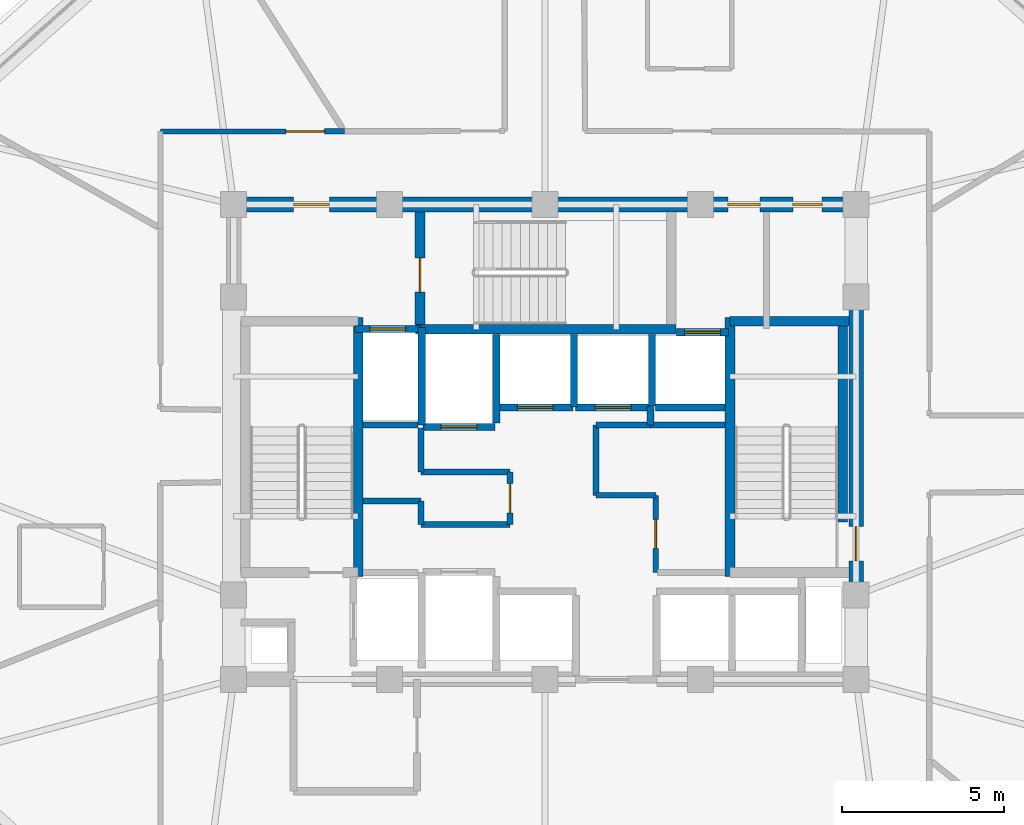
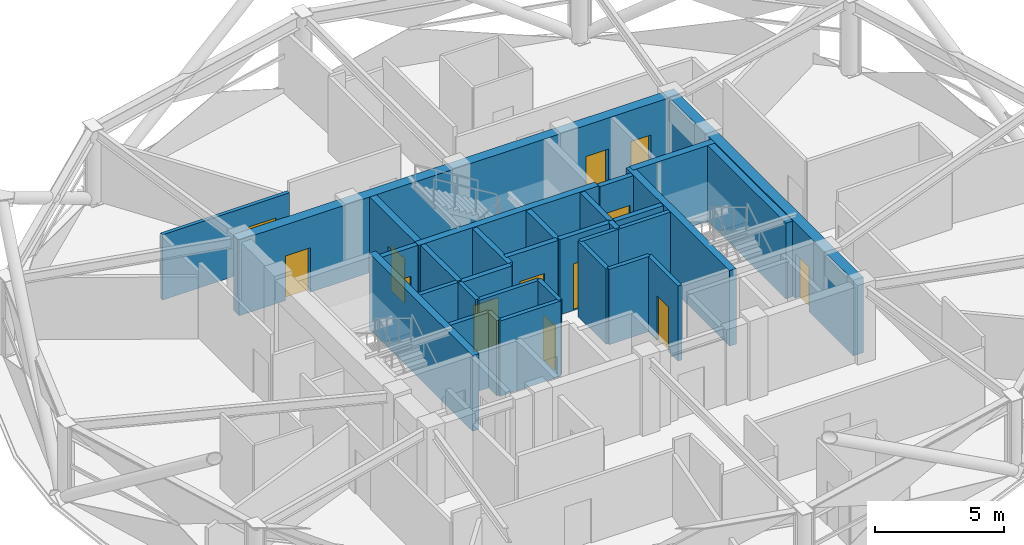
# One storey, part 23 of 28: 32 walls, 13 doors, 13 openings.
"""IFC4 building model written with IfcOpenShell, lengths in metres."""

from ifc_helpers import new_model, si_unit, direction, frame, frame_2d, origin, place, context, subcontext, project, spatial, rectangle, extrude, material, layer, layer_set, type_object, element, fill, save


model = new_model("IFC4")

# Units and contexts
model_context = context("Model", 3, precision=1e-05, world=origin(), true_north=direction((0.0, 1.0)))
body_context = subcontext(model_context, "Body", "Model", "MODEL_VIEW")
ifc_project = project(units=[si_unit("LENGTHUNIT", "METRE"), si_unit("AREAUNIT", "SQUARE_METRE"), si_unit("VOLUMEUNIT", "CUBIC_METRE"), si_unit("PLANEANGLEUNIT", "RADIAN"), si_unit("MASSUNIT", "GRAM", prefix="KILO")], contexts=[model_context])

# Site, building, storey
site_placement = place(None, origin())
site = spatial("IfcSite", under=ifc_project, at=site_placement, CompositionType="ELEMENT")
building_placement = place(site_placement, origin())
building = spatial("IfcBuilding", under=site, at=building_placement, Name="Vantalir Tower", CompositionType="ELEMENT")
storey_placement = place(building_placement, frame((0.0, 0.0, 242.39990234375)))
storey = spatial("IfcBuildingStorey", under=building, at=storey_placement, Name="L61", CompositionType="ELEMENT", Elevation=242.39990234375)

# Wall, openings, doors
ifc_material_1 = material(Name="Concrete C50/60", Category="concrete")
ifc_layer_1 = layer(ifc_material_1, 0.449951171875)
ifc_layer_set_1 = layer_set([ifc_layer_1], Name="Concrete C50/60")
wall_type_1 = type_object("IfcWallType", Name="WL-CORE-450", PredefinedType="SHEAR", material=ifc_layer_set_1)
wall_1_placement = place(storey_placement, frame((21.675048828125, 32.449951171875, 0.0), z_axis=(0.0, 0.0, 1.0), x_axis=(1.0, 0.0, 0.0)))
wall_1 = element("IfcWall", 1, at=wall_1_placement, inside=storey, type_object=wall_type_1, Name="L61 Core Shear Wall North", PredefinedType="SHEAR", context=body_context, shape_type="SweptSolid", body=[
    extrude(rectangle(XDim=19.64990234375, YDim=0.449951171875, at=frame_2d((9.824951171875, 0.0))), origin(), (0.0, 0.0, 1.0), 3.570068359375),
])
opening_1_placement = place(wall_1_placement, frame((2.074951171875, 0.0, 0.0)))
opening_1 = element("IfcOpeningElement", 2, at=opening_1_placement, cuts=wall_1, Name="Opening D-FFL", PredefinedType="OPENING", context=body_context, shape_type="SweptSolid", body=[
    extrude(rectangle(XDim=1.10009765625, YDim=2.10009765625, at=frame_2d((0.550048828125, 1.050048828125))), frame((0.0, 0.23486328125, 0.0), z_axis=(0.0, -1.0, 0.0), x_axis=(1.0, 0.0, 0.0)), (0.0, 0.0, 1.0), 0.469970703125),
])
opening_2_placement = place(wall_1_placement, frame((15.465087890625, 0.0, 0.0)))
opening_2 = element("IfcOpeningElement", 3, at=opening_2_placement, cuts=wall_1, Name="Opening D-GUEST", PredefinedType="OPENING", context=body_context, shape_type="SweptSolid", body=[
    extrude(rectangle(XDim=1.0, YDim=2.10009765625, at=frame_2d((0.5, 1.050048828125))), frame((0.0, 0.23486328125, 0.0), z_axis=(0.0, -1.0, 0.0), x_axis=(1.0, 0.0, 0.0)), (0.0, 0.0, 1.0), 0.469970703125),
])
opening_3_placement = place(wall_1_placement, frame((17.47509765625, 0.0, 0.0)))
opening_3 = element("IfcOpeningElement", 4, at=opening_3_placement, cuts=wall_1, Name="Opening D-CR", PredefinedType="OPENING", context=body_context, shape_type="SweptSolid", body=[
    extrude(rectangle(XDim=0.89990234375, YDim=2.10009765625, at=frame_2d((0.449951171875, 1.050048828125))), frame((0.0, 0.23486328125, 0.0), z_axis=(0.0, -1.0, 0.0), x_axis=(1.0, 0.0, 0.0)), (0.0, 0.0, 1.0), 0.469970703125),
])
ifc_material_2 = material(Name="Fire-rated steel core service door", Category="steel")
door_type_1 = type_object("IfcDoorType", Name="DR-CORE-SERV-900", OperationType="NOTDEFINED", PredefinedType="DOOR", material=ifc_material_2)
door_1_placement = place(opening_3_placement, frame((0.89990234375, 0.0, 0.0), z_axis=(0.0, 0.0, 1.0), x_axis=(-1.0, 0.0, 0.0)))
door_1 = element("IfcDoor", 5, at=door_1_placement, inside=storey, type_object=door_type_1, Name="L61 Housekeeping and Linen Room Door", OperationType="SINGLE_SWING_RIGHT", OverallHeight=2.10009765625, OverallWidth=0.89990234375, PredefinedType="DOOR", context=body_context, shape_type="SweptSolid", body=[
    extrude(rectangle(XDim=0.89990234375, YDim=2.10009765625, at=frame_2d((0.449951171875, 1.050048828125))), frame((0.0, 0.02490234375, 0.0), z_axis=(0.0, -1.0, 0.0), x_axis=(1.0, 0.0, 0.0)), (0.0, 0.0, 1.0), 0.050048828125),
])
fill(opening_3, door_1)
ifc_material_3 = material(Name="Fire-rated acoustic steel door", Category="steel")
door_type_2 = type_object("IfcDoorType", Name="DR-FIRE-LOBBY-1100", OperationType="NOTDEFINED", PredefinedType="DOOR", material=ifc_material_3)
door_2_placement = place(opening_1_placement, frame((1.10009765625, 0.0, 0.0), z_axis=(0.0, 0.0, 1.0), x_axis=(-1.0, 0.0, 0.0)))
door_2 = element("IfcDoor", 6, at=door_2_placement, inside=storey, type_object=door_type_2, Name="L61 Firefighting Lobby East Access Door", OperationType="SINGLE_SWING_LEFT", OverallHeight=2.10009765625, OverallWidth=1.10009765625, PredefinedType="DOOR", context=body_context, shape_type="SweptSolid", body=[
    extrude(rectangle(XDim=1.10009765625, YDim=2.10009765625, at=frame_2d((0.550048828125, 1.050048828125))), frame((0.0, 0.02490234375, 0.0), z_axis=(0.0, -1.0, 0.0), x_axis=(1.0, 0.0, 0.0)), (0.0, 0.0, 1.0), 0.050048828125),
])
fill(opening_1, door_2)
ifc_material_4 = material(Name="Solid-core teak veneer acoustic fire door", Category="wood")
door_type_3 = type_object("IfcDoorType", Name="DR-GUEST-ENTRY-1000", OperationType="NOTDEFINED", PredefinedType="DOOR", material=ifc_material_4)
door_3_placement = place(opening_2_placement, frame((1.0, 0.0, 0.0), z_axis=(0.0, 0.0, 1.0), x_axis=(-1.0, 0.0, 0.0)))
door_3 = element("IfcDoor", 7, at=door_3_placement, inside=storey, type_object=door_type_3, Name="L61 High-Rise Lift Lobby Door", OperationType="SINGLE_SWING_LEFT", OverallHeight=2.10009765625, OverallWidth=1.0, PredefinedType="DOOR", context=body_context, shape_type="SweptSolid", body=[
    extrude(rectangle(XDim=1.0, YDim=2.10009765625, at=frame_2d((0.5, 1.050048828125))), frame((0.0, 0.02490234375, 0.0), z_axis=(0.0, -1.0, 0.0), x_axis=(1.0, 0.0, 0.0)), (0.0, 0.0, 1.0), 0.050048828125),
])
fill(opening_2, door_3)

# Wall, opening, door
wall_2_placement = place(storey_placement, frame((41.10009765625, 18.02490234375, 0.0), z_axis=(0.0, 0.0, 1.0), x_axis=(0.0, 1.0, 0.0)))
wall_2 = element("IfcWall", 8, at=wall_2_placement, inside=storey, type_object=wall_type_1, Name="L61 Core Shear Wall East", PredefinedType="SHEAR", context=body_context, shape_type="SweptSolid", body=[
    extrude(rectangle(XDim=14.2001953125, YDim=0.449951171875, at=frame_2d((7.10009765625, 0.0))), origin(), (0.0, 0.0, 1.0), 3.570068359375),
])
opening_4_placement = place(wall_2_placement, frame((3.43505859375, 0.0, 0.0)))
opening_4 = element("IfcOpeningElement", 9, at=opening_4_placement, cuts=wall_2, Name="Opening D-ST", PredefinedType="OPENING", context=body_context, shape_type="SweptSolid", body=[
    extrude(rectangle(XDim=1.050048828125, YDim=2.10009765625, at=frame_2d((0.52490234375, 1.050048828125))), frame((0.0, 0.23486328125, 0.0), z_axis=(0.0, -1.0, 0.0), x_axis=(1.0, 0.0, 0.0)), (0.0, 0.0, 1.0), 0.469970703125),
])
ifc_material_5 = material(Name="Fire-rated steel door leaf", Category="steel")
door_type_4 = type_object("IfcDoorType", Name="DR-FIRE-STAIR-1050", OperationType="NOTDEFINED", PredefinedType="DOOR", material=ifc_material_5)
door_4_placement = place(opening_4_placement, origin())
door_4 = element("IfcDoor", 10, at=door_4_placement, inside=storey, type_object=door_type_4, Name="L61 Exit Stair ST2 Fire Door", OperationType="SINGLE_SWING_LEFT", OverallHeight=2.10009765625, OverallWidth=1.050048828125, PredefinedType="DOOR", context=body_context, shape_type="SweptSolid", body=[
    extrude(rectangle(XDim=1.050048828125, YDim=2.10009765625, at=frame_2d((0.52490234375, 1.050048828125))), frame((0.0, 0.02490234375, 0.0), z_axis=(0.0, -1.0, 0.0), x_axis=(1.0, 0.0, 0.0)), (0.0, 0.0, 1.0), 0.050048828125),
])
fill(opening_4, door_4)

ifc_material_6 = material(Name="Fire-rated hotel corridor acoustic partition", Category="gypsum")
ifc_layer_2 = layer(ifc_material_6, 0.159912109375)
ifc_layer_set_2 = layer_set([ifc_layer_2], Name="Fire-rated hotel corridor acoustic partition")
wall_type_2 = type_object("IfcWallType", Name="WL-CORR-160", PredefinedType="PARTITIONING", material=ifc_layer_set_2)
wall_3_placement = place(storey_placement, frame((19.64404296875, 34.699951171875, 0.0), z_axis=(0.0, 0.0, 1.0), x_axis=(0.999998989417, 0.001421677005, 0.0)))
wall_3 = element("IfcWall", 11, at=wall_3_placement, inside=storey, type_object=wall_type_2, Name="L61 Corridor Partition 04", PredefinedType="PARTITIONING", context=body_context, shape_type="SweptSolid", body=[
    extrude(rectangle(XDim=5.6669921875, YDim=0.159912109375, at=frame_2d((2.83349609375, 0.0))), origin(), (0.0, 0.0, 1.0), 3.0810546875),
])
opening_5_placement = place(wall_3_placement, frame((3.863037109375, 0.0, 0.0)))
opening_5 = element("IfcOpeningElement", 12, at=opening_5_placement, cuts=wall_3, Name="Opening D-STE", PredefinedType="OPENING", context=body_context, shape_type="SweptSolid", body=[
    extrude(rectangle(XDim=1.199951171875, YDim=2.10009765625, at=frame_2d((0.60009765625, 1.050048828125))), frame((0.0, 0.08984375, 0.0), z_axis=(0.0, -1.0, 0.0), x_axis=(1.0, 0.0, 0.0)), (0.0, 0.0, 1.0), 0.179931640625),
])
ifc_material_7 = material(Name="Solid-core teak veneer suite entrance door", Category="wood")
door_type_5 = type_object("IfcDoorType", Name="DR-SUITE-ENTRY-1200", OperationType="NOTDEFINED", PredefinedType="DOOR", material=ifc_material_7)
door_5_placement = place(opening_5_placement, origin())
door_5 = element("IfcDoor", 13, at=door_5_placement, inside=storey, type_object=door_type_5, Name="L61 Executive Sky Boardroom 03 Door", OperationType="SINGLE_SWING_LEFT", OverallHeight=2.10009765625, OverallWidth=1.199951171875, PredefinedType="DOOR", context=body_context, shape_type="SweptSolid", body=[
    extrude(rectangle(XDim=1.199951171875, YDim=2.10009765625, at=frame_2d((0.60009765625, 1.050048828125))), frame((0.0, 0.02490234375, 0.0), z_axis=(0.0, -1.0, 0.0), x_axis=(1.0, 0.0, 0.0)), (0.0, 0.0, 1.0), 0.050048828125),
])
fill(opening_5, door_5)

# Walls
ifc_material_8 = material(Name="Concrete blockwork with fireboard lining", Category="masonry")
ifc_layer_3 = layer(ifc_material_8, 0.219970703125)
ifc_layer_set_3 = layer_set([ifc_layer_3], Name="Concrete blockwork with fireboard lining")
wall_type_3 = type_object("IfcWallType", Name="WL-FFL-220", PredefinedType="PARTITIONING", material=ifc_layer_set_3)
wall_4_placement = place(storey_placement, frame((30.0, 25.7099609375, 0.0), z_axis=(0.0, 0.0, 1.0), x_axis=(0.0, 1.0, 0.0)))
element("IfcWall", 14, at=wall_4_placement, inside=storey, type_object=wall_type_3, Name="L61 Service Lift SV2 East Shaft Wall", PredefinedType="PARTITIONING", context=body_context, shape_type="SweptSolid", body=[
    extrude(rectangle(XDim=2.72998046875, YDim=0.219970703125, at=frame_2d((1.364990234375, 0.0))), origin(), (0.0, 0.0, 1.0), 3.545166015625),
])
wall_5_placement = place(storey_placement, frame((32.39990234375, 26.199951171875, 0.0), z_axis=(0.0, 0.0, 1.0), x_axis=(0.0, 1.0, 0.0)))
element("IfcWall", 15, at=wall_5_placement, inside=storey, type_object=wall_type_3, Name="L61 High-Rise Lift PL-H1/H2 Shaft Divider", PredefinedType="PARTITIONING", context=body_context, shape_type="SweptSolid", body=[
    extrude(rectangle(XDim=2.239990234375, YDim=0.219970703125, at=frame_2d((1.1201171875, 0.0))), origin(), (0.0, 0.0, 1.0), 3.545166015625),
])
wall_6_placement = place(storey_placement, frame((34.800048828125, 26.22998046875, 0.0), z_axis=(0.0, 0.0, 1.0), x_axis=(0.0, 1.0, 0.0)))
element("IfcWall", 16, at=wall_6_placement, inside=storey, type_object=wall_type_3, Name="L61 High-Rise Lift PL-H2/H3 Shaft Divider", PredefinedType="PARTITIONING", context=body_context, shape_type="SweptSolid", body=[
    extrude(rectangle(XDim=2.2099609375, YDim=0.219970703125, at=frame_2d((1.10498046875, 0.0))), origin(), (0.0, 0.0, 1.0), 3.545166015625),
])
wall_7_placement = place(storey_placement, frame((34.909912109375, 26.18994140625, 0.0), z_axis=(0.0, 0.0, 1.0), x_axis=(1.0, 0.0, 0.0)))
element("IfcWall", 17, at=wall_7_placement, inside=storey, type_object=wall_type_3, Name="L61 High-Rise Lift PL-H3 Rear Shaft Wall", PredefinedType="PARTITIONING", context=body_context, shape_type="SweptSolid", body=[
    extrude(rectangle(XDim=2.14013671875, YDim=0.219970703125, at=frame_2d((1.070068359375, 0.0))), origin(), (0.0, 0.0, 1.0), 3.545166015625),
])

# Wall, opening, door
wall_8_placement = place(storey_placement, frame((25.639892578125, 28.610107421875, 0.0), z_axis=(0.0, 0.0, 1.0), x_axis=(1.0, 0.0, 0.0)))
wall_8 = element("IfcWall", 18, at=wall_8_placement, inside=storey, type_object=wall_type_3, Name="L61 Lift FL2 Shaft Front Wall", PredefinedType="PARTITIONING", context=body_context, shape_type="SweptSolid", body=[
    extrude(rectangle(XDim=2.02001953125, YDim=0.219970703125, at=frame_2d((1.010009765625, 0.0))), origin(), (0.0, 0.0, 1.0), 3.550048828125),
])
opening_6_placement = place(wall_8_placement, frame((0.4599609375, 0.0, 0.0)))
opening_6 = element("IfcOpeningElement", 19, at=opening_6_placement, cuts=wall_8, Name="Opening LD-FL2", PredefinedType="OPENING", context=body_context, shape_type="SweptSolid", body=[
    extrude(rectangle(XDim=1.10009765625, YDim=2.199951171875, at=frame_2d((0.550048828125, 1.10009765625))), frame((0.0, 0.119873046875, 0.0), z_axis=(0.0, -1.0, 0.0), x_axis=(1.0, 0.0, 0.0)), (0.0, 0.0, 1.0), 0.239990234375),
])
ifc_material_9 = material(Name="Brushed stainless-steel sliding lift landing door", Category="steel")
door_type_6 = type_object("IfcDoorType", Name="DR-LIFT-LANDING-1100", OperationType="DOUBLE_DOOR_SLIDING", PredefinedType="DOOR", material=ifc_material_9)
door_6_placement = place(opening_6_placement, origin())
door_6 = element("IfcDoor", 20, at=door_6_placement, inside=storey, type_object=door_type_6, Name="L61 Lift Landing Door FL2", OperationType="DOUBLE_DOOR_SLIDING", OverallHeight=2.199951171875, OverallWidth=1.10009765625, PredefinedType="DOOR", context=body_context, shape_type="SweptSolid", body=[
    extrude(rectangle(XDim=1.10009765625, YDim=2.199951171875, at=frame_2d((0.550048828125, 1.10009765625))), frame((0.0, 0.02490234375, 0.0), z_axis=(0.0, -1.0, 0.0), x_axis=(1.0, 0.0, 0.0)), (0.0, 0.0, 1.0), 0.050048828125),
])
fill(opening_6, door_6)

wall_9_placement = place(storey_placement, frame((27.739990234375, 25.590087890625, 0.0), z_axis=(0.0, 0.0, 1.0), x_axis=(1.0, 0.0, 0.0)))
wall_9 = element("IfcWall", 21, at=wall_9_placement, inside=storey, type_object=wall_type_3, Name="L61 Lift SV2 Shaft Front Wall", PredefinedType="PARTITIONING", context=body_context, shape_type="SweptSolid", body=[
    extrude(rectangle(XDim=2.219970703125, YDim=0.219970703125, at=frame_2d((1.10986328125, 0.0))), origin(), (0.0, 0.0, 1.0), 3.550048828125),
])
opening_7_placement = place(wall_9_placement, frame((0.56005859375, 0.0, 0.0)))
opening_7 = element("IfcOpeningElement", 22, at=opening_7_placement, cuts=wall_9, Name="Opening LD-SV2", PredefinedType="OPENING", context=body_context, shape_type="SweptSolid", body=[
    extrude(rectangle(XDim=1.10009765625, YDim=2.199951171875, at=frame_2d((0.550048828125, 1.10009765625))), frame((0.0, 0.119873046875, 0.0), z_axis=(0.0, -1.0, 0.0), x_axis=(1.0, 0.0, 0.0)), (0.0, 0.0, 1.0), 0.239990234375),
])
door_7_placement = place(opening_7_placement, frame((1.10009765625, 0.0, 0.0), z_axis=(0.0, 0.0, 1.0), x_axis=(-1.0, 0.0, 0.0)))
door_7 = element("IfcDoor", 23, at=door_7_placement, inside=storey, type_object=door_type_6, Name="L61 Lift Landing Door SV2", OperationType="DOUBLE_DOOR_SLIDING", OverallHeight=2.199951171875, OverallWidth=1.10009765625, PredefinedType="DOOR", context=body_context, shape_type="SweptSolid", body=[
    extrude(rectangle(XDim=1.10009765625, YDim=2.199951171875, at=frame_2d((0.550048828125, 1.10009765625))), frame((0.0, 0.02490234375, 0.0), z_axis=(0.0, -1.0, 0.0), x_axis=(1.0, 0.0, 0.0)), (0.0, 0.0, 1.0), 0.050048828125),
])
fill(opening_7, door_7)

wall_10_placement = place(storey_placement, frame((30.0400390625, 26.18994140625, 0.0), z_axis=(0.0, 0.0, 1.0), x_axis=(1.0, 0.0, 0.0)))
wall_10 = element("IfcWall", 24, at=wall_10_placement, inside=storey, type_object=wall_type_3, Name="L61 Lift PL-H1 Shaft Front Wall", PredefinedType="PARTITIONING", context=body_context, shape_type="SweptSolid", body=[
    extrude(rectangle(XDim=2.320068359375, YDim=0.219970703125, at=frame_2d((1.16015625, 0.0))), origin(), (0.0, 0.0, 1.0), 3.550048828125),
])
opening_8_placement = place(wall_10_placement, frame((0.610107421875, 0.0, 0.0)))
opening_8 = element("IfcOpeningElement", 25, at=opening_8_placement, cuts=wall_10, Name="Opening LD-PL-H1", PredefinedType="OPENING", context=body_context, shape_type="SweptSolid", body=[
    extrude(rectangle(XDim=1.10009765625, YDim=2.199951171875, at=frame_2d((0.550048828125, 1.10009765625))), frame((0.0, 0.119873046875, 0.0), z_axis=(0.0, -1.0, 0.0), x_axis=(1.0, 0.0, 0.0)), (0.0, 0.0, 1.0), 0.239990234375),
])
door_8_placement = place(opening_8_placement, frame((1.10009765625, 0.0, 0.0), z_axis=(0.0, 0.0, 1.0), x_axis=(-1.0, 0.0, 0.0)))
door_8 = element("IfcDoor", 26, at=door_8_placement, inside=storey, type_object=door_type_6, Name="L61 Lift Landing Door PL-H1", OperationType="DOUBLE_DOOR_SLIDING", OverallHeight=2.199951171875, OverallWidth=1.10009765625, PredefinedType="DOOR", context=body_context, shape_type="SweptSolid", body=[
    extrude(rectangle(XDim=1.10009765625, YDim=2.199951171875, at=frame_2d((0.550048828125, 1.10009765625))), frame((0.0, 0.02490234375, 0.0), z_axis=(0.0, -1.0, 0.0), x_axis=(1.0, 0.0, 0.0)), (0.0, 0.0, 1.0), 0.050048828125),
])
fill(opening_8, door_8)

wall_11_placement = place(storey_placement, frame((32.43994140625, 26.18994140625, 0.0), z_axis=(0.0, 0.0, 1.0), x_axis=(1.0, 0.0, 0.0)))
wall_11 = element("IfcWall", 27, at=wall_11_placement, inside=storey, type_object=wall_type_3, Name="L61 Lift PL-H2 Shaft Front Wall", PredefinedType="PARTITIONING", context=body_context, shape_type="SweptSolid", body=[
    extrude(rectangle(XDim=2.320068359375, YDim=0.219970703125, at=frame_2d((1.16015625, 0.0))), origin(), (0.0, 0.0, 1.0), 3.550048828125),
])
opening_9_placement = place(wall_11_placement, frame((0.610107421875, 0.0, 0.0)))
opening_9 = element("IfcOpeningElement", 28, at=opening_9_placement, cuts=wall_11, Name="Opening LD-PL-H2", PredefinedType="OPENING", context=body_context, shape_type="SweptSolid", body=[
    extrude(rectangle(XDim=1.10009765625, YDim=2.199951171875, at=frame_2d((0.550048828125, 1.10009765625))), frame((0.0, 0.119873046875, 0.0), z_axis=(0.0, -1.0, 0.0), x_axis=(1.0, 0.0, 0.0)), (0.0, 0.0, 1.0), 0.239990234375),
])
door_9_placement = place(opening_9_placement, frame((1.10009765625, 0.0, 0.0), z_axis=(0.0, 0.0, 1.0), x_axis=(-1.0, 0.0, 0.0)))
door_9 = element("IfcDoor", 29, at=door_9_placement, inside=storey, type_object=door_type_6, Name="L61 Lift Landing Door PL-H2", OperationType="DOUBLE_DOOR_SLIDING", OverallHeight=2.199951171875, OverallWidth=1.10009765625, PredefinedType="DOOR", context=body_context, shape_type="SweptSolid", body=[
    extrude(rectangle(XDim=1.10009765625, YDim=2.199951171875, at=frame_2d((0.550048828125, 1.10009765625))), frame((0.0, 0.02490234375, 0.0), z_axis=(0.0, -1.0, 0.0), x_axis=(1.0, 0.0, 0.0)), (0.0, 0.0, 1.0), 0.050048828125),
])
fill(opening_9, door_9)

wall_12_placement = place(storey_placement, frame((35.56005859375, 28.510009765625, 0.0), z_axis=(0.0, 0.0, 1.0), x_axis=(1.0, 0.0, 0.0)))
wall_12 = element("IfcWall", 30, at=wall_12_placement, inside=storey, type_object=wall_type_3, Name="L61 Lift PL-H3 Shaft Front Wall", PredefinedType="PARTITIONING", context=body_context, shape_type="SweptSolid", body=[
    extrude(rectangle(XDim=1.599853515625, YDim=0.219970703125, at=frame_2d((0.7998046875, 0.0))), origin(), (0.0, 0.0, 1.0), 3.550048828125),
])
opening_10_placement = place(wall_12_placement, frame((0.25, 0.0, 0.0)))
opening_10 = element("IfcOpeningElement", 31, at=opening_10_placement, cuts=wall_12, Name="Opening LD-PL-H3", PredefinedType="OPENING", context=body_context, shape_type="SweptSolid", body=[
    extrude(rectangle(XDim=1.10009765625, YDim=2.199951171875, at=frame_2d((0.550048828125, 1.10009765625))), frame((0.0, 0.119873046875, 0.0), z_axis=(0.0, -1.0, 0.0), x_axis=(1.0, 0.0, 0.0)), (0.0, 0.0, 1.0), 0.239990234375),
])
door_10_placement = place(opening_10_placement, origin())
door_10 = element("IfcDoor", 32, at=door_10_placement, inside=storey, type_object=door_type_6, Name="L61 Lift Landing Door PL-H3", OperationType="DOUBLE_DOOR_SLIDING", OverallHeight=2.199951171875, OverallWidth=1.10009765625, PredefinedType="DOOR", context=body_context, shape_type="SweptSolid", body=[
    extrude(rectangle(XDim=1.10009765625, YDim=2.199951171875, at=frame_2d((0.550048828125, 1.10009765625))), frame((0.0, 0.02490234375, 0.0), z_axis=(0.0, -1.0, 0.0), x_axis=(1.0, 0.0, 0.0)), (0.0, 0.0, 1.0), 0.050048828125),
])
fill(opening_10, door_10)

# Walls
wall_13_placement = place(storey_placement, frame((27.699951171875, 25.64990234375, 0.0), z_axis=(0.0, 0.0, 1.0), x_axis=(0.0, 1.0, 0.0)))
element("IfcWall", 33, at=wall_13_placement, inside=storey, type_object=wall_type_3, Name="L61 Fire Lift FL2 Dividing Wall", PredefinedType="PARTITIONING", context=body_context, shape_type="SweptSolid", body=[
    extrude(rectangle(XDim=3.0, YDim=0.219970703125, at=frame_2d((1.5, 0.0))), origin(), (0.0, 0.0, 1.0), 3.550048828125),
])
wall_14_placement = place(storey_placement, frame((34.760009765625, 25.64990234375, 0.0), z_axis=(0.0, 0.0, 1.0), x_axis=(0.0, 1.0, 0.0)))
element("IfcWall", 34, at=wall_14_placement, inside=storey, type_object=wall_type_3, Name="L61 High-Rise Shaft Shoulder Wall", PredefinedType="PARTITIONING", context=body_context, shape_type="SweptSolid", body=[
    extrude(rectangle(XDim=0.570068359375, YDim=0.219970703125, at=frame_2d((0.28515625, 0.0))), origin(), (0.0, 0.0, 1.0), 3.550048828125),
])
ifc_material_10 = material(Name="Twin-stud acoustic fire-rated gypsum partition", Category="gypsum")
ifc_layer_4 = layer(ifc_material_10, 0.179931640625)
ifc_layer_set_4 = layer_set([ifc_layer_4], Name="Twin-stud acoustic fire-rated gypsum partition")
wall_type_4 = type_object("IfcWallType", Name="WL-GUEST-180", PredefinedType="PARTITIONING", material=ifc_layer_set_4)
wall_15_placement = place(storey_placement, frame((25.889892578125, 25.64990234375, 0.0), z_axis=(0.0, 0.0, 1.0), x_axis=(1.0, 0.0, 0.0)))
element("IfcWall", 35, at=wall_15_placement, inside=storey, type_object=wall_type_4, Name="L61 Freed West Core North Wall", PredefinedType="PARTITIONING", context=body_context, shape_type="SweptSolid", body=[
    extrude(rectangle(XDim=1.7001953125, YDim=0.179931640625, at=frame_2d((0.85009765625, 0.0))), origin(), (0.0, 0.0, 1.0), 3.550048828125),
])
wall_16_placement = place(storey_placement, frame((25.889892578125, 23.300048828125, 0.0), z_axis=(0.0, 0.0, 1.0), x_axis=(1.0, 0.0, 0.0)))
element("IfcWall", 36, at=wall_16_placement, inside=storey, type_object=wall_type_4, Name="L61 West Linen South-West Wall", PredefinedType="PARTITIONING", context=body_context, shape_type="SweptSolid", body=[
    extrude(rectangle(XDim=1.7900390625, YDim=0.179931640625, at=frame_2d((0.89501953125, 0.0))), origin(), (0.0, 0.0, 1.0), 3.550048828125),
])
wall_17_placement = place(storey_placement, frame((27.679931640625, 22.580078125, 0.0), z_axis=(0.0, 0.0, 1.0), x_axis=(0.0, 1.0, 0.0)))
element("IfcWall", 37, at=wall_17_placement, inside=storey, type_object=wall_type_4, Name="L61 West Linen Step Wall", PredefinedType="PARTITIONING", context=body_context, shape_type="SweptSolid", body=[
    extrude(rectangle(XDim=0.719970703125, YDim=0.179931640625, at=frame_2d((0.35986328125, 0.0))), origin(), (0.0, 0.0, 1.0), 3.550048828125),
])
wall_18_placement = place(storey_placement, frame((27.679931640625, 22.580078125, 0.0), z_axis=(0.0, 0.0, 1.0), x_axis=(1.0, 0.0, 0.0)))
element("IfcWall", 38, at=wall_18_placement, inside=storey, type_object=wall_type_4, Name="L61 West Linen Alcove South Wall", PredefinedType="PARTITIONING", context=body_context, shape_type="SweptSolid", body=[
    extrude(rectangle(XDim=2.739990234375, YDim=0.179931640625, at=frame_2d((1.3701171875, 0.0))), origin(), (0.0, 0.0, 1.0), 3.550048828125),
])

# Wall, opening, door
wall_19_placement = place(storey_placement, frame((30.419921875, 22.580078125, 0.0), z_axis=(0.0, 0.0, 1.0), x_axis=(0.0, 1.0, 0.0)))
wall_19 = element("IfcWall", 39, at=wall_19_placement, inside=storey, type_object=wall_type_4, Name="L61 West Linen Alcove East Wall", PredefinedType="PARTITIONING", context=body_context, shape_type="SweptSolid", body=[
    extrude(rectangle(XDim=1.619873046875, YDim=0.179931640625, at=frame_2d((0.81005859375, 0.0))), origin(), (0.0, 0.0, 1.0), 3.550048828125),
])
opening_11_placement = place(wall_19_placement, frame((0.360107421875, 0.0, 0.0)))
opening_11 = element("IfcOpeningElement", 40, at=opening_11_placement, cuts=wall_19, Name="Opening D-CR", PredefinedType="OPENING", context=body_context, shape_type="SweptSolid", body=[
    extrude(rectangle(XDim=0.89990234375, YDim=2.10009765625, at=frame_2d((0.449951171875, 1.050048828125))), frame((0.0, 0.099853515625, 0.0), z_axis=(0.0, -1.0, 0.0), x_axis=(1.0, 0.0, 0.0)), (0.0, 0.0, 1.0), 0.199951171875),
])
door_11_placement = place(opening_11_placement, origin())
door_11 = element("IfcDoor", 41, at=door_11_placement, inside=storey, type_object=door_type_1, Name="L61 Core Linen Store Door", OperationType="SINGLE_SWING_LEFT", OverallHeight=2.10009765625, OverallWidth=0.89990234375, PredefinedType="DOOR", context=body_context, shape_type="SweptSolid", body=[
    extrude(rectangle(XDim=0.89990234375, YDim=2.10009765625, at=frame_2d((0.449951171875, 1.050048828125))), frame((0.0, 0.02490234375, 0.0), z_axis=(0.0, -1.0, 0.0), x_axis=(1.0, 0.0, 0.0)), (0.0, 0.0, 1.0), 0.050048828125),
])
fill(opening_11, door_11)

# Walls
wall_20_placement = place(storey_placement, frame((27.679931640625, 24.199951171875, 0.0), z_axis=(0.0, 0.0, 1.0), x_axis=(1.0, 0.0, 0.0)))
element("IfcWall", 42, at=wall_20_placement, inside=storey, type_object=wall_type_4, Name="L61 West Linen Alcove North Wall", PredefinedType="PARTITIONING", context=body_context, shape_type="SweptSolid", body=[
    extrude(rectangle(XDim=2.739990234375, YDim=0.179931640625, at=frame_2d((1.3701171875, 0.0))), origin(), (0.0, 0.0, 1.0), 3.550048828125),
])
wall_21_placement = place(storey_placement, frame((27.679931640625, 24.199951171875, 0.0), z_axis=(0.0, 0.0, 1.0), x_axis=(0.0, 1.0, 0.0)))
element("IfcWall", 43, at=wall_21_placement, inside=storey, type_object=wall_type_4, Name="L61 West Linen Upper East Wall", PredefinedType="PARTITIONING", context=body_context, shape_type="SweptSolid", body=[
    extrude(rectangle(XDim=1.360107421875, YDim=0.179931640625, at=frame_2d((0.68017578125, 0.0))), origin(), (0.0, 0.0, 1.0), 3.550048828125),
])
wall_22_placement = place(storey_placement, frame((34.719970703125, 25.64990234375, 0.0), z_axis=(0.0, 0.0, 1.0), x_axis=(1.0, 0.0, 0.0)))
element("IfcWall", 44, at=wall_22_placement, inside=storey, type_object=wall_type_4, Name="L61 Freed East Core North Wall", PredefinedType="PARTITIONING", context=body_context, shape_type="SweptSolid", body=[
    extrude(rectangle(XDim=2.340087890625, YDim=0.179931640625, at=frame_2d((1.169921875, 0.0))), origin(), (0.0, 0.0, 1.0), 3.550048828125),
])
wall_23_placement = place(storey_placement, frame((33.080078125, 25.64990234375, 0.0), z_axis=(0.0, 0.0, 1.0), x_axis=(1.0, 0.0, 0.0)))
element("IfcWall", 45, at=wall_23_placement, inside=storey, type_object=wall_type_4, Name="L61 East Core Alcove North Wall", PredefinedType="PARTITIONING", context=body_context, shape_type="SweptSolid", body=[
    extrude(rectangle(XDim=1.679931640625, YDim=0.179931640625, at=frame_2d((0.83984375, 0.0))), origin(), (0.0, 0.0, 1.0), 3.550048828125),
])
wall_24_placement = place(storey_placement, frame((33.080078125, 23.47998046875, 0.0), z_axis=(0.0, 0.0, 1.0), x_axis=(0.0, 1.0, 0.0)))
element("IfcWall", 46, at=wall_24_placement, inside=storey, type_object=wall_type_4, Name="L61 East Core Alcove West Wall", PredefinedType="PARTITIONING", context=body_context, shape_type="SweptSolid", body=[
    extrude(rectangle(XDim=2.169921875, YDim=0.179931640625, at=frame_2d((1.0849609375, 0.0))), origin(), (0.0, 0.0, 1.0), 3.550048828125),
])
wall_25_placement = place(storey_placement, frame((33.080078125, 23.47998046875, 0.0), z_axis=(0.0, 0.0, 1.0), x_axis=(1.0, 0.0, 0.0)))
element("IfcWall", 47, at=wall_25_placement, inside=storey, type_object=wall_type_4, Name="L61 East Core Alcove South Wall", PredefinedType="PARTITIONING", context=body_context, shape_type="SweptSolid", body=[
    extrude(rectangle(XDim=1.83984375, YDim=0.179931640625, at=frame_2d((0.919921875, 0.0))), origin(), (0.0, 0.0, 1.0), 3.550048828125),
])

# Wall, opening, door
wall_26_placement = place(storey_placement, frame((34.919921875, 21.10009765625, 0.0), z_axis=(0.0, 0.0, 1.0), x_axis=(0.0, 1.0, 0.0)))
wall_26 = element("IfcWall", 48, at=wall_26_placement, inside=storey, type_object=wall_type_4, Name="L61 East Core Lower West Wall", PredefinedType="PARTITIONING", context=body_context, shape_type="SweptSolid", body=[
    extrude(rectangle(XDim=2.3798828125, YDim=0.179931640625, at=frame_2d((1.18994140625, 0.0))), origin(), (0.0, 0.0, 1.0), 3.550048828125),
])
opening_12_placement = place(wall_26_placement, frame((0.739990234375, 0.0, 0.0)))
opening_12 = element("IfcOpeningElement", 49, at=opening_12_placement, cuts=wall_26, Name="Opening D-CR", PredefinedType="OPENING", context=body_context, shape_type="SweptSolid", body=[
    extrude(rectangle(XDim=0.89990234375, YDim=2.10009765625, at=frame_2d((0.449951171875, 1.050048828125))), frame((0.0, 0.099853515625, 0.0), z_axis=(0.0, -1.0, 0.0), x_axis=(1.0, 0.0, 0.0)), (0.0, 0.0, 1.0), 0.199951171875),
])
door_12_placement = place(opening_12_placement, frame((0.89990234375, 0.0, 0.0), z_axis=(0.0, 0.0, 1.0), x_axis=(-1.0, 0.0, 0.0)))
door_12 = element("IfcDoor", 50, at=door_12_placement, inside=storey, type_object=door_type_1, Name="L61 Core Telecoms Door", OperationType="SINGLE_SWING_LEFT", OverallHeight=2.10009765625, OverallWidth=0.89990234375, PredefinedType="DOOR", context=body_context, shape_type="SweptSolid", body=[
    extrude(rectangle(XDim=0.89990234375, YDim=2.10009765625, at=frame_2d((0.449951171875, 1.050048828125))), frame((0.0, 0.02490234375, 0.0), z_axis=(0.0, -1.0, 0.0), x_axis=(1.0, 0.0, 0.0)), (0.0, 0.0, 1.0), 0.050048828125),
])
fill(opening_12, door_12)

# Walls
ifc_layer_5 = layer(ifc_material_1, 0.300048828125)
ifc_layer_set_5 = layer_set([ifc_layer_5], Name="Concrete C50/60")
wall_type_5 = type_object("IfcWallType", Name="WL-STAIR-300", PredefinedType="SHEAR", material=ifc_layer_set_5)
wall_27_placement = place(storey_placement, frame((25.739990234375, 20.97998046875, 0.0), z_axis=(0.0, 0.0, 1.0), x_axis=(0.0, 1.0, 0.0)))
element("IfcWall", 51, at=wall_27_placement, inside=storey, type_object=wall_type_5, Name="L61 Stair ST1 East Wall", PredefinedType="SHEAR", context=body_context, shape_type="SweptSolid", body=[
    extrude(rectangle(XDim=7.989990234375, YDim=0.300048828125, at=frame_2d((3.9951171875, 0.0))), origin(), (0.0, 0.0, 1.0), 3.570068359375),
])
wall_28_placement = place(storey_placement, frame((37.2099609375, 28.85009765625, 0.0), z_axis=(0.0, 0.0, 1.0), x_axis=(1.0, 0.0, 0.0)))
element("IfcWall", 52, at=wall_28_placement, inside=storey, type_object=wall_type_5, Name="L61 Stair ST2 North Wall", PredefinedType="SHEAR", context=body_context, shape_type="SweptSolid", body=[
    extrude(rectangle(XDim=3.6650390625, YDim=0.300048828125, at=frame_2d((1.83251953125, 0.0))), origin(), (0.0, 0.0, 1.0), 3.570068359375),
])
wall_29_placement = place(storey_placement, frame((37.2099609375, 20.97998046875, 0.0), z_axis=(0.0, 0.0, 1.0), x_axis=(0.0, 1.0, 0.0)))
element("IfcWall", 53, at=wall_29_placement, inside=storey, type_object=wall_type_5, Name="L61 Stair ST2 West Wall", PredefinedType="SHEAR", context=body_context, shape_type="SweptSolid", body=[
    extrude(rectangle(XDim=7.989990234375, YDim=0.300048828125, at=frame_2d((3.9951171875, 0.0))), origin(), (0.0, 0.0, 1.0), 3.570068359375),
])
wall_30_placement = place(storey_placement, frame((40.68994140625, 22.64990234375, 0.0), z_axis=(0.0, 0.0, 1.0), x_axis=(0.0, 1.0, 0.0)))
element("IfcWall", 54, at=wall_30_placement, inside=storey, type_object=wall_type_5, Name="L61 Stair ST2 East Liner Wall", PredefinedType="SHEAR", context=body_context, shape_type="SweptSolid", body=[
    extrude(rectangle(XDim=6.2001953125, YDim=0.300048828125, at=frame_2d((3.10009765625, 0.0))), origin(), (0.0, 0.0, 1.0), 3.570068359375),
])
wall_31_placement = place(storey_placement, frame((27.510009765625, 28.60009765625, 0.0), z_axis=(0.0, 0.0, 1.0), x_axis=(1.0, 0.0, 0.0)))
element("IfcWall", 55, at=wall_31_placement, inside=storey, type_object=wall_type_5, Name="L61 Stair ST3 South Wall", PredefinedType="SHEAR", context=body_context, shape_type="SweptSolid", body=[
    extrude(rectangle(XDim=8.030029296875, YDim=0.300048828125, at=frame_2d((4.01513671875, 0.0))), origin(), (0.0, 0.0, 1.0), 3.570068359375),
])

# Wall, opening, door
wall_32_placement = place(storey_placement, frame((27.64990234375, 28.75, 0.0), z_axis=(0.0, 0.0, 1.0), x_axis=(0.0, 1.0, 0.0)))
wall_32 = element("IfcWall", 56, at=wall_32_placement, inside=storey, type_object=wall_type_5, Name="L61 Stair ST3 West Wall", PredefinedType="SHEAR", context=body_context, shape_type="SweptSolid", body=[
    extrude(rectangle(XDim=3.47509765625, YDim=0.300048828125, at=frame_2d((1.737548828125, 0.0))), origin(), (0.0, 0.0, 1.0), 3.570068359375),
])
opening_13_placement = place(wall_32_placement, frame((1.0, 0.0, 0.0)))
opening_13 = element("IfcOpeningElement", 57, at=opening_13_placement, cuts=wall_32, Name="Opening D-ST", PredefinedType="OPENING", context=body_context, shape_type="SweptSolid", body=[
    extrude(rectangle(XDim=1.050048828125, YDim=2.10009765625, at=frame_2d((0.52490234375, 1.050048828125))), frame((0.0, 0.159912109375, 0.0), z_axis=(0.0, -1.0, 0.0), x_axis=(1.0, 0.0, 0.0)), (0.0, 0.0, 1.0), 0.320068359375),
])
door_13_placement = place(opening_13_placement, frame((1.050048828125, 0.0, 0.0), z_axis=(0.0, 0.0, 1.0), x_axis=(-1.0, 0.0, 0.0)))
door_13 = element("IfcDoor", 58, at=door_13_placement, inside=storey, type_object=door_type_4, Name="L61 Exit Stair ST3 Fire Door", OperationType="SINGLE_SWING_RIGHT", OverallHeight=2.10009765625, OverallWidth=1.050048828125, PredefinedType="DOOR", context=body_context, shape_type="SweptSolid", body=[
    extrude(rectangle(XDim=1.050048828125, YDim=2.10009765625, at=frame_2d((0.52490234375, 1.050048828125))), frame((0.0, 0.02490234375, 0.0), z_axis=(0.0, -1.0, 0.0), x_axis=(1.0, 0.0, 0.0)), (0.0, 0.0, 1.0), 0.050048828125),
])
fill(opening_13, door_13)

save(model, "model.ifc")
